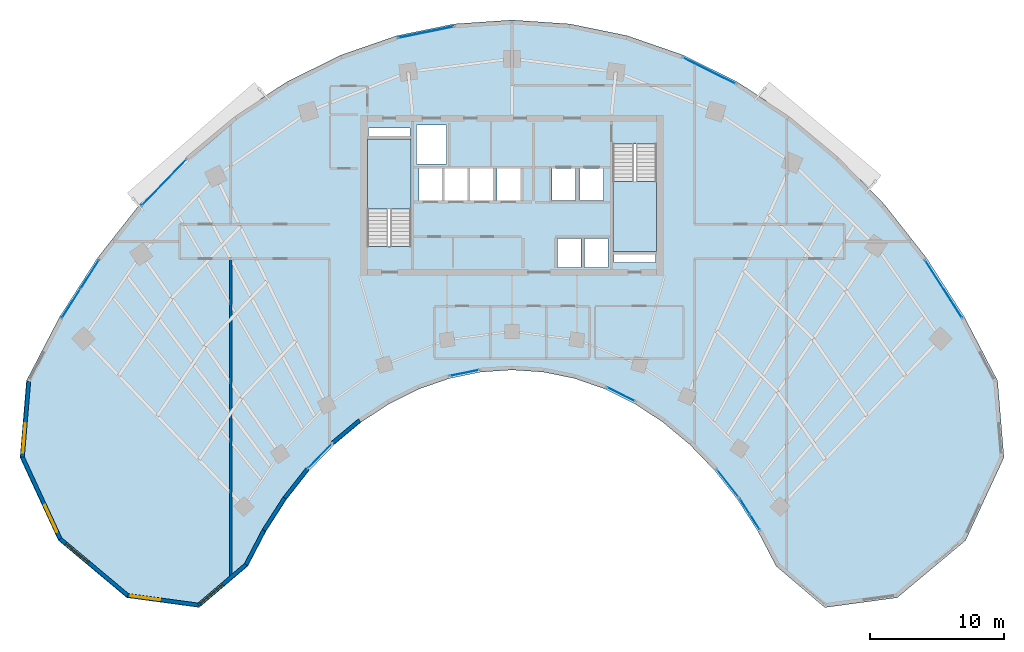
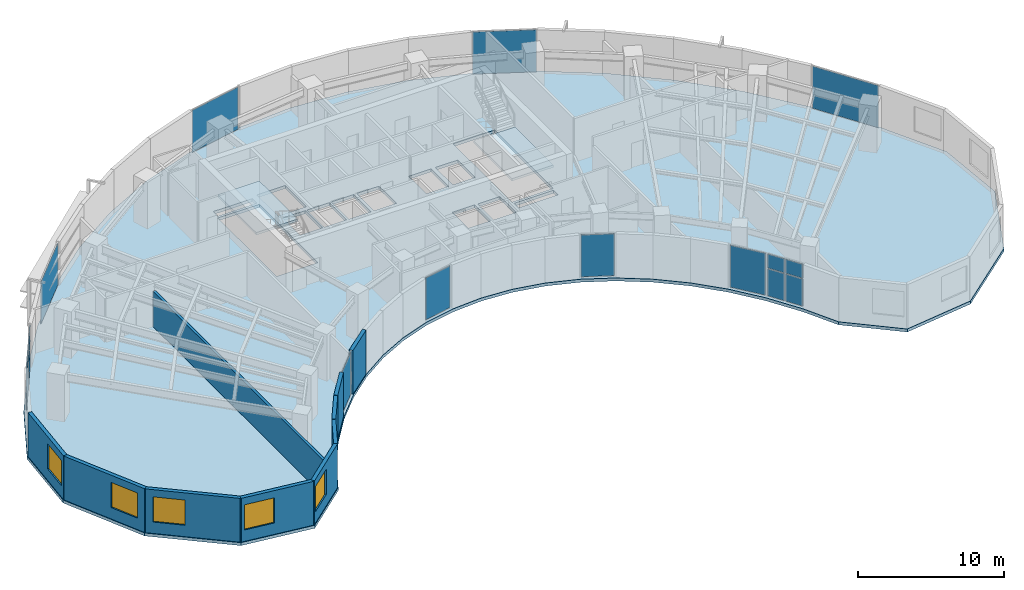
# One storey, part 7 of 13: 16 plates, 10 walls, 5 windows, 3 slabs, 5 openings, 12 elements without a shape of their own.
"""IFC4 building model written with IfcOpenShell, lengths in metres."""

from ifc_helpers import new_model, si_unit, direction, frame, frame_2d, origin, origin_2d, place, context, subcontext, project, spatial, polyline, rectangle, outline, extrude, source, transform, mapped, material, layer, layer_set, type_object, type_shapes, element, fill, aggregate, save


model = new_model("IFC4")

# Units and contexts
model_context = context("Model", 3, precision=1e-05, world=origin(), true_north=direction((0.0, 1.0)))
body_context = subcontext(model_context, "Body", "Model", "MODEL_VIEW")
ifc_project = project(units=[si_unit("LENGTHUNIT", "METRE"), si_unit("AREAUNIT", "SQUARE_METRE"), si_unit("VOLUMEUNIT", "CUBIC_METRE"), si_unit("PLANEANGLEUNIT", "RADIAN"), si_unit("MASSUNIT", "GRAM", prefix="KILO")], contexts=[model_context])

# Site, building, storey
site_placement = place(None, origin())
site = spatial("IfcSite", under=ifc_project, at=site_placement, CompositionType="ELEMENT")
building_placement = place(site_placement, origin())
building = spatial("IfcBuilding", under=site, at=building_placement, Name="Breltana Convention Tower", CompositionType="ELEMENT")
storey_placement = place(building_placement, frame((0.0, 0.0, 107.699951171875)))
storey = spatial("IfcBuildingStorey", under=building, at=storey_placement, Name="L25", CompositionType="ELEMENT", Elevation=107.699951171875)

# Slab
ifc_material_1 = material(Name="Concrete C40/50", Category="concrete")
ifc_layer_1 = layer(ifc_material_1, 0.25, Name="Concrete C40/50")
ifc_layer_set_1 = layer_set([ifc_layer_1], Name="Concrete C40/50")
slab_type_1 = type_object("IfcSlabType", Name="SL-OFF-250", PredefinedType="FLOOR", material=ifc_layer_set_1)
slab_1_placement = place(storey_placement, frame((0.0, 0.0, -0.25)))
element("IfcSlab", 1, at=slab_1_placement, inside=storey, type_object=slab_type_1, Name="L25 Suspended Structural Floor Slab", PredefinedType="FLOOR", context=body_context, shape_type="SweptSolid", body=[
    extrude(outline(polyline([(84.254150390625, 52.3564453125), (81.779052734375, 57.1103515625), (78.958251953125, 61.5048828125), (75.820556640625, 65.494873046875), (72.39794921875, 69.03955078125), (68.7255859375, 72.1025390625), (64.841064453125, 74.652587890625), (60.783935546875, 76.663818359375), (56.59619140625, 78.114990234375), (52.3203125, 78.99169921875), (48.0, 79.284912109375), (43.6796875, 78.99169921875), (39.40380859375, 78.114990234375), (35.216064453125, 76.663818359375), (31.158935546875, 74.652587890625), (27.2744140625, 72.1025390625), (23.60205078125, 69.03955078125), (20.179443359375, 65.494873046875), (17.041748046875, 61.5048828125), (14.220947265625, 57.1103515625), (11.745849609375, 52.3564453125), (11.266357421875, 46.619384765625), (14.128173828125, 40.42919921875), (19.23828125, 36.150146484375), (24.64501953125, 35.4169921875), (28.282958984375, 38.509521484375), (29.62890625, 41.09521484375), (31.1630859375, 43.485107421875), (32.869384765625, 45.655029296875), (34.73095703125, 47.5830078125), (36.728271484375, 49.248779296875), (38.8408203125, 50.6357421875), (41.04736328125, 51.7294921875), (43.324951171875, 52.518798828125), (45.650390625, 52.99560546875), (48.0, 53.155029296875), (50.349609375, 52.99560546875), (52.675048828125, 52.518798828125), (54.95263671875, 51.7294921875), (57.1591796875, 50.6357421875), (59.271728515625, 49.248779296875), (61.26904296875, 47.5830078125), (63.130615234375, 45.655029296875), (64.8369140625, 43.485107421875), (66.37109375, 41.09521484375), (67.717041015625, 38.509521484375), (71.35498046875, 35.4169921875), (76.76171875, 36.150146484375), (81.871826171875, 40.42919921875), (84.733642578125, 46.619384765625), (84.254150390625, 52.3564453125)]), holes=[polyline([(37.199951171875, 62.385009765625), (40.469970703125, 62.385009765625), (40.469970703125, 70.39990234375), (37.199951171875, 70.39990234375), (37.199951171875, 62.385009765625)]), polyline([(55.530029296875, 62.0), (58.800048828125, 62.0), (58.800048828125, 70.014892578125), (55.530029296875, 70.014892578125), (55.530029296875, 62.0)]), polyline([(51.39990234375, 60.800048828125), (53.159912109375, 60.800048828125), (53.159912109375, 62.97998046875), (51.39990234375, 62.97998046875), (51.39990234375, 60.800048828125)]), polyline([(53.39990234375, 60.800048828125), (55.159912109375, 60.800048828125), (55.159912109375, 62.97998046875), (53.39990234375, 62.97998046875), (53.39990234375, 60.800048828125)]), polyline([(41.0400390625, 65.820068359375), (42.800048828125, 65.820068359375), (42.800048828125, 68.179931640625), (41.0400390625, 68.179931640625), (41.0400390625, 65.820068359375)]), polyline([(42.93994140625, 65.820068359375), (44.699951171875, 65.820068359375), (44.699951171875, 68.179931640625), (42.93994140625, 68.179931640625), (42.93994140625, 65.820068359375)]), polyline([(44.8701171875, 65.820068359375), (46.6298828125, 65.820068359375), (46.6298828125, 68.179931640625), (44.8701171875, 68.179931640625), (44.8701171875, 65.820068359375)]), polyline([(46.8701171875, 65.820068359375), (48.6298828125, 65.820068359375), (48.6298828125, 68.179931640625), (46.8701171875, 68.179931640625), (46.8701171875, 65.820068359375)]), polyline([(50.969970703125, 65.800048828125), (52.72998046875, 65.800048828125), (52.72998046875, 68.179931640625), (50.969970703125, 68.179931640625), (50.969970703125, 65.800048828125)]), polyline([(53.070068359375, 65.800048828125), (54.830078125, 65.800048828125), (54.830078125, 68.179931640625), (53.070068359375, 68.179931640625), (53.070068359375, 65.800048828125)]), polyline([(40.8798828125, 68.550048828125), (43.1201171875, 68.550048828125), (43.1201171875, 71.449951171875), (40.8798828125, 71.449951171875), (40.8798828125, 68.550048828125)]), polyline([(37.300048828125, 70.60009765625), (40.3798828125, 70.60009765625), (40.3798828125, 71.219970703125), (37.300048828125, 71.219970703125), (37.300048828125, 70.60009765625)]), polyline([(55.6201171875, 61.179931640625), (58.699951171875, 61.179931640625), (58.699951171875, 61.800048828125), (55.6201171875, 61.800048828125), (55.6201171875, 61.179931640625)])]), origin(), (0.0, 0.0, 1.0), 0.25),
])

# Stair, slab
stair_type = type_object("IfcStairType", Name="ST-DOG-1560-R177", PredefinedType="HALF_TURN_STAIR", material=ifc_material_1)
stair_1_placement = place(storey_placement, origin())
stair_1 = element("IfcStair", 2, at=stair_1_placement, inside=storey, type_object=stair_type, Name="L25 Protected Core Exit Stair ST-1", PredefinedType="HALF_TURN_STAIR")
ifc_layer_2 = layer(ifc_material_1, 0.199951171875, Name="Concrete C40/50")
ifc_layer_set_2 = layer_set([ifc_layer_2], Name="Concrete C40/50")
slab_type_2 = type_object("IfcSlabType", Name="SL-STAIR-LANDING-200", PredefinedType="LANDING", material=ifc_layer_set_2)
slab_2_placement = place(storey_placement, frame((0.0, 0.0, 1.75)))
slab_2 = element("IfcSlab", 3, at=slab_2_placement, type_object=slab_type_2, Name="ST-1 landing 1", PredefinedType="LANDING", context=body_context, shape_type="SweptSolid", body=[
    extrude(outline(polyline([(40.469970703125, 65.159912109375), (40.469970703125, 70.39990234375), (37.199951171875, 70.39990234375), (37.199951171875, 65.159912109375), (40.469970703125, 65.159912109375)])), origin(), (0.0, 0.0, 1.0), 0.199951171875),
])
aggregate(stair_1, [slab_2])

stair_2_placement = place(storey_placement, origin())
stair_2 = element("IfcStair", 4, at=stair_2_placement, inside=storey, type_object=stair_type, Name="L25 Protected Core Exit Stair ST-2", PredefinedType="HALF_TURN_STAIR")
slab_3_placement = place(storey_placement, frame((0.0, 0.0, 1.75)))
slab_3 = element("IfcSlab", 5, at=slab_3_placement, type_object=slab_type_2, Name="ST-2 landing 1", PredefinedType="LANDING", context=body_context, shape_type="SweptSolid", body=[
    extrude(outline(polyline([(55.530029296875, 67.239990234375), (55.530029296875, 62.0), (58.800048828125, 62.0), (58.800048828125, 67.239990234375), (55.530029296875, 67.239990234375)])), origin(), (0.0, 0.0, 1.0), 0.199951171875),
])
aggregate(stair_2, [slab_3])

# Curtain wall, plates
ifc_material_2 = material(Name="Aluminium Anodised Bronze Frame", Category="aluminium")
ifc_layer_3 = layer(ifc_material_2, 0.18994140625, Name="Aluminium Anodised Bronze Frame")
ifc_layer_set_3 = layer_set([ifc_layer_3], Name="Aluminium Anodised Bronze Frame")
curtain_wall_type_1 = type_object("IfcCurtainWallType", Name="CW-SYS-1", PredefinedType="NOTDEFINED", material=ifc_layer_set_3)
curtain_wall_1_placement = place(storey_placement, origin())
curtain_wall_1 = element("IfcCurtainWall", 6, at=curtain_wall_1_placement, inside=storey, type_object=curtain_wall_type_1, Name="L25 inner south-court glazing 1", PredefinedType="NOTDEFINED")
ifc_material_3 = material(Name="Glass Low-E Double Glazing", Category="glass")
ifc_layer_4 = layer(ifc_material_3, 0.028076171875, Name="Glass Low-E Double Glazing")
ifc_layer_set_4 = layer_set([ifc_layer_4], Name="Glass Low-E Double Glazing")
plate_type_1 = type_object("IfcPlateType", Name="CWP-IGU-28", PredefinedType="CURTAIN_PANEL", material=ifc_layer_set_4)
shared_shape_1 = source(origin(), body_context, "Body", "SweptSolid", [
    extrude(rectangle(XDim=1.300048828125, YDim=0.028076171875, at=origin_2d()), origin(), (0.0, 0.0, 1.0), 2.25244140625),
])
plate_1_placement = place(storey_placement, frame((66.128173828125, 41.806640625, 0.080078125), z_axis=(0.0, 0.0, 1.0), x_axis=(-0.5401773017, 0.841551235949, 0.0)))
plate_1 = element("IfcPlate", 7, at=plate_1_placement, type_object=plate_type_1, Name="CW-01 panel 1.1", PredefinedType="CURTAIN_PANEL", context=body_context, shape_type="MappedRepresentation", body=[
    mapped(shared_shape_1, transform((0.0, 0.0, 0.0), scale=1.0)),
])
plate_2_placement = place(storey_placement, frame((65.3828125, 42.968017578125, 0.080078125), z_axis=(0.0, 0.0, 1.0), x_axis=(-0.5401773017, 0.841551235949, 0.0)))
plate_2 = element("IfcPlate", 8, at=plate_2_placement, type_object=plate_type_1, Name="CW-01 panel 2.1", PredefinedType="CURTAIN_PANEL", context=body_context, shape_type="MappedRepresentation", body=[
    mapped(shared_shape_1, transform((0.0, 0.0, 0.0), scale=1.0)),
])
shared_shape_2 = source(origin(), body_context, "Body", "SweptSolid", [
    extrude(rectangle(XDim=1.300048828125, YDim=0.028076171875, at=origin_2d()), origin(), (0.0, 0.0, 1.0), 1.157470703125),
])
plate_3_placement = place(storey_placement, frame((66.128173828125, 41.806640625, 2.41259765625), z_axis=(0.0, 0.0, 1.0), x_axis=(-0.5401773017, 0.841551235949, 0.0)))
plate_3 = element("IfcPlate", 9, at=plate_3_placement, type_object=plate_type_1, Name="CW-01 panel 1.2", PredefinedType="CURTAIN_PANEL", context=body_context, shape_type="MappedRepresentation", body=[
    mapped(shared_shape_2, transform((0.0, 0.0, 0.0), scale=1.0)),
])
plate_4_placement = place(storey_placement, frame((65.3828125, 42.968017578125, 2.41259765625), z_axis=(0.0, 0.0, 1.0), x_axis=(-0.5401773017, 0.841551235949, 0.0)))
plate_4 = element("IfcPlate", 10, at=plate_4_placement, type_object=plate_type_1, Name="CW-01 panel 2.2", PredefinedType="CURTAIN_PANEL", context=body_context, shape_type="MappedRepresentation", body=[
    mapped(shared_shape_2, transform((0.0, 0.0, 0.0), scale=1.0)),
])
aggregate(curtain_wall_1, [plate_1, plate_3, plate_2, plate_4])

# Curtain wall, plate
curtain_wall_2_placement = place(storey_placement, origin())
curtain_wall_2 = element("IfcCurtainWall", 11, at=curtain_wall_2_placement, inside=storey, type_object=curtain_wall_type_1, Name="L25 inner south-court glazing 2", PredefinedType="NOTDEFINED")
shared_shape_3 = source(origin(), body_context, "Body", "SweptSolid", [
    extrude(rectangle(XDim=2.6005859375, YDim=0.028076171875, at=origin_2d()), origin(), (0.0, 0.0, 1.0), 3.489990234375),
])
plate_5_placement = place(storey_placement, frame((64.125244140625, 44.681396484375, 0.080078125), z_axis=(0.0, 0.0, 1.0), x_axis=(-0.61815745037, 0.786054302547, 0.0)))
plate_5 = element("IfcPlate", 12, at=plate_5_placement, type_object=plate_type_1, Name="CW-01 panel 1.1", PredefinedType="CURTAIN_PANEL", context=body_context, shape_type="MappedRepresentation", body=[
    mapped(shared_shape_3, transform((0.0, 0.0, 0.0), scale=1.0)),
])
aggregate(curtain_wall_2, [plate_5])

# Curtain wall, plates
ifc_layer_5 = layer(ifc_material_2, 0.22998046875, Name="Aluminium Anodised Bronze Frame")
ifc_layer_set_5 = layer_set([ifc_layer_5], Name="Aluminium Anodised Bronze Frame")
curtain_wall_type_2 = type_object("IfcCurtainWallType", Name="CW-SYS-5", PredefinedType="NOTDEFINED", material=ifc_layer_set_5)
curtain_wall_3_placement = place(storey_placement, origin())
curtain_wall_3 = element("IfcCurtainWall", 13, at=curtain_wall_3_placement, inside=storey, type_object=curtain_wall_type_2, Name="L25 outer double-skin inner glazing 1", PredefinedType="NOTDEFINED")
ifc_layer_6 = layer(ifc_material_3, 0.035888671875, Name="Glass Low-E Double Glazing")
ifc_layer_set_6 = layer_set([ifc_layer_6], Name="Glass Low-E Double Glazing")
plate_type_2 = type_object("IfcPlateType", Name="CWP-IGU-36", PredefinedType="CURTAIN_PANEL", material=ifc_layer_set_6)
shared_shape_4 = source(origin(), body_context, "Body", "SweptSolid", [
    extrude(rectangle(XDim=2.49755859375, YDim=0.035888671875, at=origin_2d()), origin(), (0.0, 0.0, 1.0), 2.267578125),
])
plate_6_placement = place(storey_placement, frame((15.089111328125, 58.1298828125, 0.070068359375), z_axis=(0.0, 0.0, 1.0), x_axis=(0.540176809834, 0.84155155167, 0.0)))
plate_6 = element("IfcPlate", 14, at=plate_6_placement, type_object=plate_type_2, Name="CW-05 panel 1.1", PredefinedType="CURTAIN_PANEL", context=body_context, shape_type="MappedRepresentation", body=[
    mapped(shared_shape_4, transform((0.0, 0.0, 0.0), scale=1.0)),
])
plate_7_placement = place(storey_placement, frame((16.47607421875, 60.29052734375, 0.070068359375), z_axis=(0.0, 0.0, 1.0), x_axis=(0.540176809834, 0.84155155167, 0.0)))
plate_7 = element("IfcPlate", 15, at=plate_7_placement, type_object=plate_type_2, Name="CW-05 panel 2.1", PredefinedType="CURTAIN_PANEL", context=body_context, shape_type="MappedRepresentation", body=[
    mapped(shared_shape_4, transform((0.0, 0.0, 0.0), scale=1.0)),
])
shared_shape_5 = source(origin(), body_context, "Body", "SweptSolid", [
    extrude(rectangle(XDim=2.49755859375, YDim=0.035888671875, at=origin_2d()), origin(), (0.0, 0.0, 1.0), 1.172607421875),
])
plate_8_placement = place(storey_placement, frame((15.089111328125, 58.1298828125, 2.40771484375), z_axis=(0.0, 0.0, 1.0), x_axis=(0.540176809834, 0.84155155167, 0.0)))
plate_8 = element("IfcPlate", 16, at=plate_8_placement, type_object=plate_type_2, Name="CW-05 panel 1.2", PredefinedType="CURTAIN_PANEL", context=body_context, shape_type="MappedRepresentation", body=[
    mapped(shared_shape_5, transform((0.0, 0.0, 0.0), scale=1.0)),
])
plate_9_placement = place(storey_placement, frame((16.47607421875, 60.29052734375, 2.40771484375), z_axis=(0.0, 0.0, 1.0), x_axis=(0.540176809834, 0.84155155167, 0.0)))
plate_9 = element("IfcPlate", 17, at=plate_9_placement, type_object=plate_type_2, Name="CW-05 panel 2.2", PredefinedType="CURTAIN_PANEL", context=body_context, shape_type="MappedRepresentation", body=[
    mapped(shared_shape_5, transform((0.0, 0.0, 0.0), scale=1.0)),
])
aggregate(curtain_wall_3, [plate_6, plate_8, plate_7, plate_9])

# Curtain wall, plate
curtain_wall_4_placement = place(storey_placement, origin())
curtain_wall_4 = element("IfcCurtainWall", 18, at=curtain_wall_4_placement, inside=storey, type_object=curtain_wall_type_2, Name="L25 outer double-skin inner glazing 4", PredefinedType="NOTDEFINED")
shared_shape_6 = source(origin(), body_context, "Body", "SweptSolid", [
    extrude(rectangle(XDim=4.36572265625, YDim=0.035888671875, at=origin_2d()), origin(), (0.0, 0.0, 1.0), 3.510009765625),
])
plate_10_placement = place(storey_placement, frame((62.73291015625, 75.496826171875, 0.06982421875), z_axis=(0.0, 0.0, 1.0), x_axis=(0.895966548937, -0.444121541007, 0.0)))
plate_10 = element("IfcPlate", 19, at=plate_10_placement, type_object=plate_type_2, Name="CW-05 panel 1.1", PredefinedType="CURTAIN_PANEL", context=body_context, shape_type="MappedRepresentation", body=[
    mapped(shared_shape_6, transform((0.0, 0.0, 0.0), scale=1.0)),
])
aggregate(curtain_wall_4, [plate_10])

curtain_wall_5_placement = place(storey_placement, origin())
curtain_wall_5 = element("IfcCurtainWall", 20, at=curtain_wall_5_placement, inside=storey, type_object=curtain_wall_type_2, Name="L25 outer double-skin inner glazing 3", PredefinedType="NOTDEFINED")
shared_shape_7 = source(origin(), body_context, "Body", "SweptSolid", [
    extrude(rectangle(XDim=4.200927734375, YDim=0.035888671875, at=origin_2d()), origin(), (0.0, 0.0, 1.0), 3.510009765625),
])
plate_11_placement = place(storey_placement, frame((41.577880859375, 78.376953125, 0.06982421875), z_axis=(0.0, 0.0, 1.0), x_axis=(0.979620254346, 0.200858550415, 0.0)))
plate_11 = element("IfcPlate", 21, at=plate_11_placement, type_object=plate_type_2, Name="CW-05 panel 1.1", PredefinedType="CURTAIN_PANEL", context=body_context, shape_type="MappedRepresentation", body=[
    mapped(shared_shape_7, transform((0.0, 0.0, 0.0), scale=1.0)),
])
aggregate(curtain_wall_5, [plate_11])

curtain_wall_6_placement = place(storey_placement, origin())
curtain_wall_6 = element("IfcCurtainWall", 22, at=curtain_wall_6_placement, inside=storey, type_object=curtain_wall_type_2, Name="L25 outer double-skin inner glazing 2", PredefinedType="NOTDEFINED")
shared_shape_8 = source(origin(), body_context, "Body", "SweptSolid", [
    extrude(rectangle(XDim=4.7685546875, YDim=0.035888671875, at=origin_2d()), origin(), (0.0, 0.0, 1.0), 3.510009765625),
])
plate_12_placement = place(storey_placement, frame((22.02001953125, 67.141845703125, 0.06982421875), z_axis=(0.0, 0.0, 1.0), x_axis=(0.694611601605, 0.719384961558, 0.0)))
plate_12 = element("IfcPlate", 23, at=plate_12_placement, type_object=plate_type_2, Name="CW-05 panel 1.1", PredefinedType="CURTAIN_PANEL", context=body_context, shape_type="MappedRepresentation", body=[
    mapped(shared_shape_8, transform((0.0, 0.0, 0.0), scale=1.0)),
])
aggregate(curtain_wall_6, [plate_12])

curtain_wall_7_placement = place(storey_placement, origin())
curtain_wall_7 = element("IfcCurtainWall", 24, at=curtain_wall_7_placement, inside=storey, type_object=curtain_wall_type_1, Name="L25 inner south-court glazing 3", PredefinedType="NOTDEFINED")
shared_shape_9 = source(origin(), body_context, "Body", "SweptSolid", [
    extrude(rectangle(XDim=2.302490234375, YDim=0.028076171875, at=origin_2d()), origin(), (0.0, 0.0, 1.0), 3.489990234375),
])
plate_13_placement = place(storey_placement, frame((56.1357421875, 51.34375, 0.080078125), z_axis=(0.0, 0.0, 1.0), x_axis=(-0.895964953495, 0.444124759622, 0.0)))
plate_13 = element("IfcPlate", 25, at=plate_13_placement, type_object=plate_type_1, Name="CW-01 panel 1.1", PredefinedType="CURTAIN_PANEL", context=body_context, shape_type="MappedRepresentation", body=[
    mapped(shared_shape_9, transform((0.0, 0.0, 0.0), scale=1.0)),
])
aggregate(curtain_wall_7, [plate_13])

curtain_wall_8_placement = place(storey_placement, origin())
curtain_wall_8 = element("IfcCurtainWall", 26, at=curtain_wall_8_placement, inside=storey, type_object=curtain_wall_type_1, Name="L25 inner south-court glazing 4", PredefinedType="NOTDEFINED")
shared_shape_10 = source(origin(), body_context, "Body", "SweptSolid", [
    extrude(rectangle(XDim=2.2138671875, YDim=0.028076171875, at=origin_2d()), origin(), (0.0, 0.0, 1.0), 3.489990234375),
])
plate_14_placement = place(storey_placement, frame((44.451416015625, 52.933349609375, 0.080078125), z_axis=(0.0, 0.0, 1.0), x_axis=(-0.979621406891, -0.200852929183, 0.0)))
plate_14 = element("IfcPlate", 27, at=plate_14_placement, type_object=plate_type_1, Name="CW-01 panel 1.1", PredefinedType="CURTAIN_PANEL", context=body_context, shape_type="MappedRepresentation", body=[
    mapped(shared_shape_10, transform((0.0, 0.0, 0.0), scale=1.0)),
])
aggregate(curtain_wall_8, [plate_14])

curtain_wall_9_placement = place(storey_placement, origin())
curtain_wall_9 = element("IfcCurtainWall", 28, at=curtain_wall_9_placement, inside=storey, type_object=curtain_wall_type_1, Name="L25 inner south-court glazing 5", PredefinedType="NOTDEFINED")
shared_shape_11 = source(origin(), body_context, "Body", "SweptSolid", [
    extrude(rectangle(XDim=2.519775390625, YDim=0.028076171875, at=origin_2d()), origin(), (0.0, 0.0, 1.0), 3.489990234375),
])
plate_15_placement = place(storey_placement, frame((33.670654296875, 46.743896484375, 0.080078125), z_axis=(0.0, 0.0, 1.0), x_axis=(-0.694609164589, -0.719387314642, 0.0)))
plate_15 = element("IfcPlate", 29, at=plate_15_placement, type_object=plate_type_1, Name="CW-01 panel 1.1", PredefinedType="CURTAIN_PANEL", context=body_context, shape_type="MappedRepresentation", body=[
    mapped(shared_shape_11, transform((0.0, 0.0, 0.0), scale=1.0)),
])
aggregate(curtain_wall_9, [plate_15])

curtain_wall_10_placement = place(storey_placement, origin())
curtain_wall_10 = element("IfcCurtainWall", 30, at=curtain_wall_10_placement, inside=storey, type_object=curtain_wall_type_2, Name="L25 outer double-skin inner glazing 5", PredefinedType="NOTDEFINED")
shared_shape_12 = source(origin(), body_context, "Body", "SweptSolid", [
    extrude(rectangle(XDim=5.065185546875, YDim=0.035888671875, at=origin_2d()), origin(), (0.0, 0.0, 1.0), 3.510009765625),
])
plate_16_placement = place(storey_placement, frame((80.21728515625, 59.210205078125, 0.06982421875), z_axis=(0.0, 0.0, 1.0), x_axis=(0.540176809834, -0.84155155167, 0.0)))
plate_16 = element("IfcPlate", 31, at=plate_16_placement, type_object=plate_type_2, Name="CW-05 panel 1.1", PredefinedType="CURTAIN_PANEL", context=body_context, shape_type="MappedRepresentation", body=[
    mapped(shared_shape_12, transform((0.0, 0.0, 0.0), scale=1.0)),
])
aggregate(curtain_wall_10, [plate_16])

# Wall, opening, window
ifc_material_4 = material(Name="Limestone Buff Insulated Wall", Category="masonry")
ifc_layer_7 = layer(ifc_material_4, 0.280029296875, Name="Limestone Buff Insulated Wall")
ifc_layer_set_7 = layer_set([ifc_layer_7], Name="Limestone Buff Insulated Wall")
wall_type_1 = type_object("IfcWallType", Name="WL-EXT-NOSE-280", PredefinedType="SOLIDWALL", material=ifc_layer_set_7)
shared_shape_13 = source(origin(), body_context, "Body", "SweptSolid", [
    extrude(rectangle(XDim=5.673583984375, YDim=0.280029296875, at=frame_2d((2.8369140625, 0.0))), origin(), (0.0, 0.0, 1.0), 3.650146484375),
])
wall_1_placement = place(storey_placement, frame((11.44970703125, 46.651611328125, 0.0), z_axis=(0.0, 0.0, 1.0), x_axis=(0.083309007867, 0.996523762491, 0.0)))
wall_1 = element("IfcWall", 32, at=wall_1_placement, inside=storey, type_object=wall_type_1, Name="L25 curved limestone nose wall W6", PredefinedType="SOLIDWALL", context=body_context, shape_type="MappedRepresentation", body=[
    mapped(shared_shape_13, transform((0.0, 0.0, 0.0), scale=1.0)),
])
opening_1_placement = place(wall_1_placement, frame((0.318359375, 0.0, 0.949951171875)))
opening_1 = element("IfcOpeningElement", 33, at=opening_1_placement, cuts=wall_1, Name="Opening W-03", PredefinedType="OPENING", context=body_context, shape_type="SweptSolid", body=[
    extrude(rectangle(XDim=2.199951171875, YDim=2.10009765625, at=frame_2d((1.10009765625, 1.050048828125))), frame((0.0, 0.14990234375, 0.0), z_axis=(0.0, -1.0, 0.0), x_axis=(1.0, 0.0, 0.0)), (0.0, 0.0, 1.0), 0.300048828125),
])
ifc_material_5 = material(Name="Glass Low-E Insulated Window", Category="glass")
window_type = type_object("IfcWindowType", Name="WN-NOSE-2200X2100", PartitioningType="TRIPLE_PANEL_VERTICAL", PredefinedType="WINDOW", material=ifc_material_5)
shared_shape_14 = source(origin(), body_context, "Body", "SweptSolid", [
    extrude(rectangle(XDim=2.199951171875, YDim=2.10009765625, at=frame_2d((1.10009765625, 1.050048828125))), frame((0.0, 0.030029296875, 0.0), z_axis=(0.0, -1.0, 0.0), x_axis=(1.0, 0.0, 0.0)), (0.0, 0.0, 1.0), 0.06005859375),
])
type_shapes(window_type, [shared_shape_14])
window_1_placement = place(opening_1_placement, origin())
window_1 = element("IfcWindow", 34, at=window_1_placement, inside=storey, type_object=window_type, Name="L25 nose window W6", OverallHeight=2.10009765625, OverallWidth=2.199951171875, PartitioningType="TRIPLE_PANEL_VERTICAL", PredefinedType="WINDOW", context=body_context, shape_type="MappedRepresentation", body=[
    mapped(shared_shape_14, transform((0.0, 0.0, 0.0), scale=1.0)),
])
fill(opening_1, window_1)

shared_shape_15 = source(origin(), body_context, "Body", "SweptSolid", [
    extrude(rectangle(XDim=6.731689453125, YDim=0.280029296875, at=frame_2d((3.36572265625, 0.0))), origin(), (0.0, 0.0, 1.0), 3.650146484375),
])
wall_2_placement = place(storey_placement, frame((14.274658203125, 40.541259765625, 0.0), z_axis=(0.0, 0.0, 1.0), x_axis=(-0.419644552709, 0.907688520023, 0.0)))
wall_2 = element("IfcWall", 35, at=wall_2_placement, inside=storey, type_object=wall_type_1, Name="L25 curved limestone nose wall W5", PredefinedType="SOLIDWALL", context=body_context, shape_type="MappedRepresentation", body=[
    mapped(shared_shape_15, transform((0.0, 0.0, 0.0), scale=1.0)),
])
opening_2_placement = place(wall_2_placement, frame((0.5830078125, 0.0, 0.949951171875)))
opening_2 = element("IfcOpeningElement", 36, at=opening_2_placement, cuts=wall_2, Name="Opening W-03", PredefinedType="OPENING", context=body_context, shape_type="SweptSolid", body=[
    extrude(rectangle(XDim=2.199951171875, YDim=2.10009765625, at=frame_2d((1.10009765625, 1.050048828125))), frame((0.0, 0.14990234375, 0.0), z_axis=(0.0, -1.0, 0.0), x_axis=(1.0, 0.0, 0.0)), (0.0, 0.0, 1.0), 0.300048828125),
])
window_2_placement = place(opening_2_placement, origin())
window_2 = element("IfcWindow", 37, at=window_2_placement, inside=storey, type_object=window_type, Name="L25 nose window W5", OverallHeight=2.10009765625, OverallWidth=2.199951171875, PartitioningType="TRIPLE_PANEL_VERTICAL", PredefinedType="WINDOW", context=body_context, shape_type="MappedRepresentation", body=[
    mapped(shared_shape_14, transform((0.0, 0.0, 0.0), scale=1.0)),
])
fill(opening_2, window_2)

shared_shape_16 = source(origin(), body_context, "Body", "SweptSolid", [
    extrude(rectangle(XDim=6.572998046875, YDim=0.280029296875, at=frame_2d((3.28662109375, 0.0))), origin(), (0.0, 0.0, 1.0), 3.650146484375),
])
wall_3_placement = place(storey_placement, frame((19.314208984375, 36.321533203125, 0.0), z_axis=(0.0, 0.0, 1.0), x_axis=(-0.766715154163, 0.641987439423, 0.0)))
wall_3 = element("IfcWall", 38, at=wall_3_placement, inside=storey, type_object=wall_type_1, Name="L25 curved limestone nose wall W4", PredefinedType="SOLIDWALL", context=body_context, shape_type="MappedRepresentation", body=[
    mapped(shared_shape_16, transform((0.0, 0.0, 0.0), scale=1.0)),
])
opening_3_placement = place(wall_3_placement, frame((3.82958984375, 0.0, 0.949951171875)))
opening_3 = element("IfcOpeningElement", 39, at=opening_3_placement, cuts=wall_3, Name="Opening W-03", PredefinedType="OPENING", context=body_context, shape_type="SweptSolid", body=[
    extrude(rectangle(XDim=2.199951171875, YDim=2.10009765625, at=frame_2d((1.10009765625, 1.050048828125))), frame((0.0, 0.14990234375, 0.0), z_axis=(0.0, -1.0, 0.0), x_axis=(1.0, 0.0, 0.0)), (0.0, 0.0, 1.0), 0.300048828125),
])
window_3_placement = place(opening_3_placement, origin())
window_3 = element("IfcWindow", 40, at=window_3_placement, inside=storey, type_object=window_type, Name="L25 nose window W4", OverallHeight=2.10009765625, OverallWidth=2.199951171875, PartitioningType="TRIPLE_PANEL_VERTICAL", PredefinedType="WINDOW", context=body_context, shape_type="MappedRepresentation", body=[
    mapped(shared_shape_14, transform((0.0, 0.0, 0.0), scale=1.0)),
])
fill(opening_3, window_3)

shared_shape_17 = source(origin(), body_context, "Body", "SweptSolid", [
    extrude(rectangle(XDim=5.32373046875, YDim=0.280029296875, at=frame_2d((2.661865234375, 0.0))), origin(), (0.0, 0.0, 1.0), 3.650146484375),
])
wall_4_placement = place(storey_placement, frame((24.589599609375, 35.606201171875, 0.0), z_axis=(0.0, 0.0, 1.0), x_axis=(-0.990931467223, 0.134368252451, 0.0)))
wall_4 = element("IfcWall", 41, at=wall_4_placement, inside=storey, type_object=wall_type_1, Name="L25 curved limestone nose wall W3", PredefinedType="SOLIDWALL", context=body_context, shape_type="MappedRepresentation", body=[
    mapped(shared_shape_17, transform((0.0, 0.0, 0.0), scale=1.0)),
])
opening_4_placement = place(wall_4_placement, frame((2.892822265625, 0.0, 0.949951171875)))
opening_4 = element("IfcOpeningElement", 42, at=opening_4_placement, cuts=wall_4, Name="Opening W-03", PredefinedType="OPENING", context=body_context, shape_type="SweptSolid", body=[
    extrude(rectangle(XDim=2.199951171875, YDim=2.10009765625, at=frame_2d((1.10009765625, 1.050048828125))), frame((0.0, 0.14990234375, 0.0), z_axis=(0.0, -1.0, 0.0), x_axis=(1.0, 0.0, 0.0)), (0.0, 0.0, 1.0), 0.300048828125),
])
window_4_placement = place(opening_4_placement, origin())
window_4 = element("IfcWindow", 43, at=window_4_placement, inside=storey, type_object=window_type, Name="L25 nose window W3", OverallHeight=2.10009765625, OverallWidth=2.199951171875, PartitioningType="TRIPLE_PANEL_VERTICAL", PredefinedType="WINDOW", context=body_context, shape_type="MappedRepresentation", body=[
    mapped(shared_shape_14, transform((0.0, 0.0, 0.0), scale=1.0)),
])
fill(opening_4, window_4)

shared_shape_18 = source(origin(), body_context, "Body", "SweptSolid", [
    extrude(rectangle(XDim=4.6591796875, YDim=0.280029296875, at=frame_2d((2.32958984375, 0.0))), origin(), (0.0, 0.0, 1.0), 3.650146484375),
])
wall_5_placement = place(storey_placement, frame((28.139404296875, 38.623779296875, 0.0), z_axis=(0.0, 0.0, 1.0), x_axis=(-0.761913458795, -0.647678841176, 0.0)))
wall_5 = element("IfcWall", 44, at=wall_5_placement, inside=storey, type_object=wall_type_1, Name="L25 curved limestone nose wall W2", PredefinedType="SOLIDWALL", context=body_context, shape_type="MappedRepresentation", body=[
    mapped(shared_shape_18, transform((0.0, 0.0, 0.0), scale=1.0)),
])
opening_5_placement = place(wall_5_placement, frame((2.29931640625, 0.0, 0.949951171875)))
opening_5 = element("IfcOpeningElement", 45, at=opening_5_placement, cuts=wall_5, Name="Opening W-03", PredefinedType="OPENING", context=body_context, shape_type="SweptSolid", body=[
    extrude(rectangle(XDim=2.199951171875, YDim=2.10009765625, at=frame_2d((1.10009765625, 1.050048828125))), frame((0.0, 0.14990234375, 0.0), z_axis=(0.0, -1.0, 0.0), x_axis=(1.0, 0.0, 0.0)), (0.0, 0.0, 1.0), 0.300048828125),
])
window_5_placement = place(opening_5_placement, origin())
window_5 = element("IfcWindow", 46, at=window_5_placement, inside=storey, type_object=window_type, Name="L25 nose window W2", OverallHeight=2.10009765625, OverallWidth=2.199951171875, PartitioningType="TRIPLE_PANEL_VERTICAL", PredefinedType="WINDOW", context=body_context, shape_type="MappedRepresentation", body=[
    mapped(shared_shape_14, transform((0.0, 0.0, 0.0), scale=1.0)),
])
fill(opening_5, window_5)

# Walls
shared_shape_19 = source(origin(), body_context, "Body", "SweptSolid", [
    extrude(rectangle(XDim=2.8798828125, YDim=0.280029296875, at=frame_2d((1.43994140625, 0.0))), origin(), (0.0, 0.0, 1.0), 3.650146484375),
])
wall_6_placement = place(storey_placement, frame((29.46923828125, 41.17822265625, 0.0), z_axis=(0.0, 0.0, 1.0), x_axis=(-0.461769086658, -0.887000175088, 0.0)))
element("IfcWall", 47, at=wall_6_placement, inside=storey, type_object=wall_type_1, Name="L25 curved limestone nose wall W1", PredefinedType="SOLIDWALL", context=body_context, shape_type="MappedRepresentation", body=[
    mapped(shared_shape_19, transform((0.0, 0.0, 0.0), scale=1.0)),
])
shared_shape_20 = source(origin(), body_context, "Body", "SweptSolid", [
    extrude(rectangle(XDim=2.600830078125, YDim=0.280029296875, at=frame_2d((1.30029296875, 0.0))), origin(), (0.0, 0.0, 1.0), 3.650146484375),
])
wall_7_placement = place(storey_placement, frame((36.61279296875, 49.386962890625, 0.0), z_axis=(0.0, 0.0, 1.0), x_axis=(-0.76796730295, -0.640489048775, 0.0)))
element("IfcWall", 48, at=wall_7_placement, inside=storey, type_object=wall_type_1, Name="L25 curved limestone nose wall E17", PredefinedType="SOLIDWALL", context=body_context, shape_type="MappedRepresentation", body=[
    mapped(shared_shape_20, transform((0.0, 0.0, 0.0), scale=1.0)),
])
shared_shape_21 = source(origin(), body_context, "Body", "SweptSolid", [
    extrude(rectangle(XDim=2.760498046875, YDim=0.280029296875, at=frame_2d((1.38037109375, 0.0))), origin(), (0.0, 0.0, 1.0), 3.650146484375),
])
wall_8_placement = place(storey_placement, frame((32.72802734375, 45.766357421875, 0.0), z_axis=(0.0, 0.0, 1.0), x_axis=(-0.618180818641, -0.786035925047, 0.0)))
element("IfcWall", 49, at=wall_8_placement, inside=storey, type_object=wall_type_1, Name="L25 curved limestone nose wall E18", PredefinedType="SOLIDWALL", context=body_context, shape_type="MappedRepresentation", body=[
    mapped(shared_shape_21, transform((0.0, 0.0, 0.0), scale=1.0)),
])
shared_shape_22 = source(origin(), body_context, "Body", "SweptSolid", [
    extrude(rectangle(XDim=2.83984375, YDim=0.280029296875, at=frame_2d((1.419921875, 0.0))), origin(), (0.0, 0.0, 1.0), 3.650146484375),
])
wall_9_placement = place(storey_placement, frame((31.011474609375, 43.582275390625, 0.0), z_axis=(0.0, 0.0, 1.0), x_axis=(-0.540214368057, -0.841527442538, 0.0)))
element("IfcWall", 50, at=wall_9_placement, inside=storey, type_object=wall_type_1, Name="L25 curved limestone nose wall E19", PredefinedType="SOLIDWALL", context=body_context, shape_type="MappedRepresentation", body=[
    mapped(shared_shape_22, transform((0.0, 0.0, 0.0), scale=1.0)),
])
ifc_material_6 = material(Name="Gypsum Acoustic Hotel Wall")
ifc_layer_8 = layer(ifc_material_6, 0.195068359375, Name="Gypsum Acoustic Hotel Wall")
ifc_layer_set_8 = layer_set([ifc_layer_8], Name="Gypsum Acoustic Hotel Wall")
wall_type_2 = type_object("IfcWallType", Name="WL-HOTEL-200", PredefinedType="PARTITIONING", material=ifc_layer_set_8)
shared_shape_23 = source(origin(), body_context, "Body", "SweptSolid", [
    extrude(rectangle(XDim=23.771484375, YDim=0.195068359375, at=frame_2d((11.8857421875, 0.0))), origin(), (0.0, 0.0, 1.0), 2.942138671875),
])
wall_10_placement = place(storey_placement, frame((27.0, 37.66845703125, 0.0), z_axis=(0.0, 0.0, 1.0), x_axis=(0.0, 1.0, 0.0)))
element("IfcWall", 51, at=wall_10_placement, inside=storey, type_object=wall_type_2, Name="L25 interior partition W-L25-ZWS1-E", PredefinedType="PARTITIONING", context=body_context, shape_type="MappedRepresentation", body=[
    mapped(shared_shape_23, transform((0.0, 0.0, 0.0), scale=1.0)),
])

save(model, "model.ifc")
